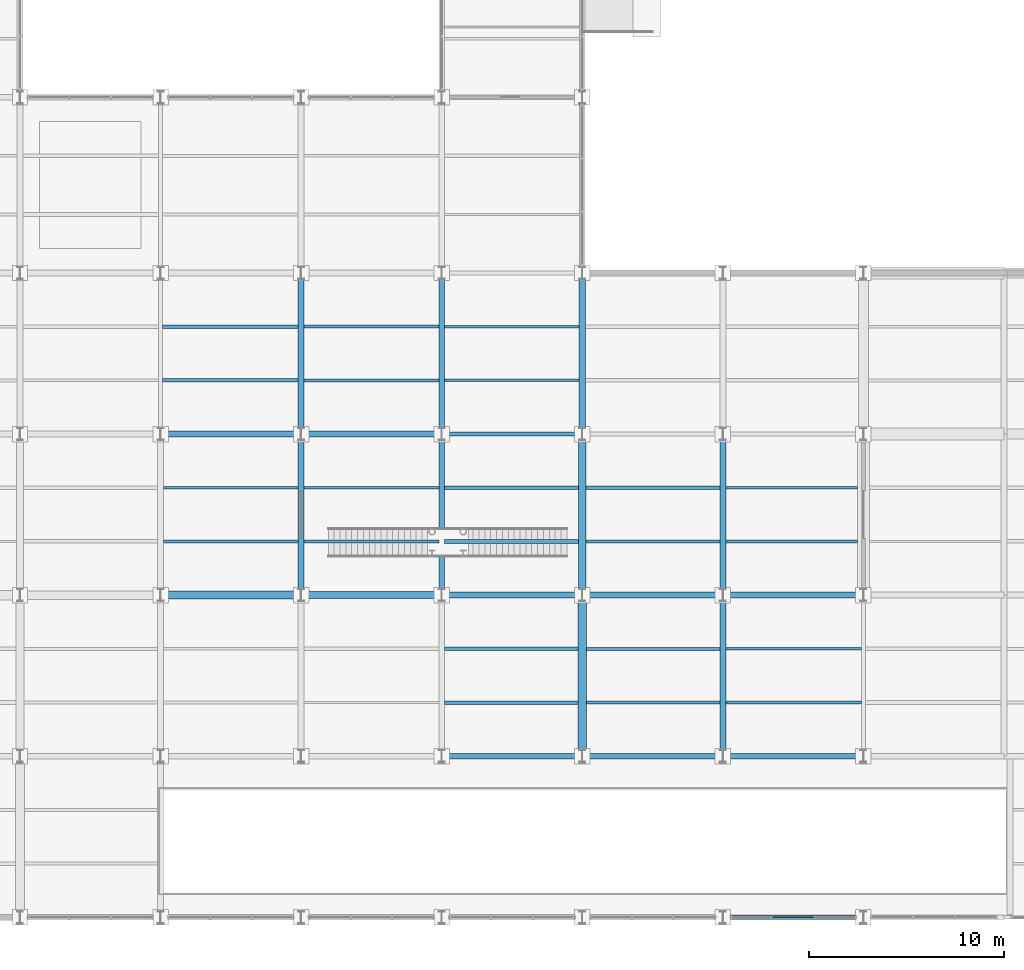
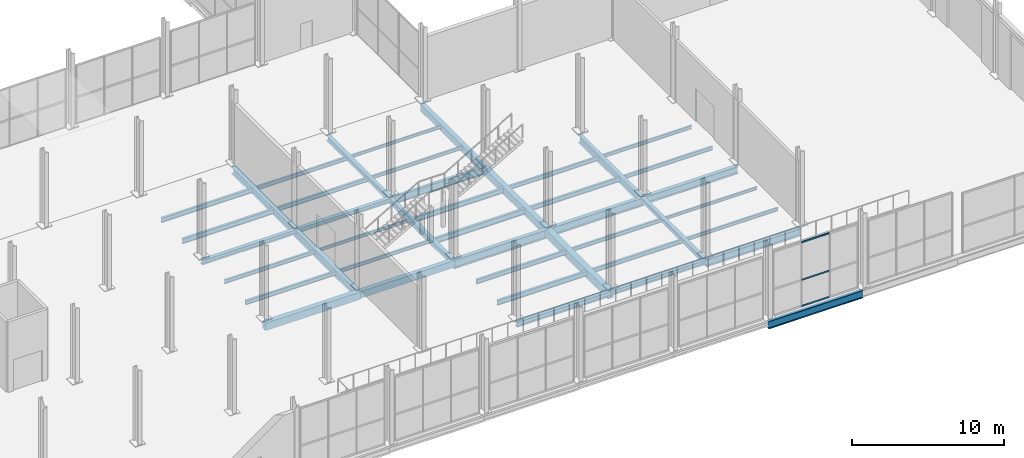
# One storey, part 81 of 144: 43 beams, 3 members, 1 element without a shape of its own.
"""IFC4 building model written with IfcOpenShell, lengths in metres."""

from ifc_helpers import new_model, si_unit, direction, frame, origin, origin_2d, place, context, subcontext, project, spatial, rectangle, hollow_rectangle, i_section, extrude, material, layer, layer_set, material_profile, profile_set, type_object, element, aggregate, save


model = new_model("IFC4")

# Units and contexts
model_context = context("Model", 3, precision=1e-05, world=origin(), true_north=direction((0.0, 1.0)))
body_context = subcontext(model_context, "Body", "Model", "MODEL_VIEW")
ifc_project = project(units=[si_unit("LENGTHUNIT", "METRE"), si_unit("AREAUNIT", "SQUARE_METRE"), si_unit("VOLUMEUNIT", "CUBIC_METRE"), si_unit("PLANEANGLEUNIT", "RADIAN"), si_unit("MASSUNIT", "GRAM", prefix="KILO")], contexts=[model_context])

# Site, building, storey
site_placement = place(None, origin())
site = spatial("IfcSite", under=ifc_project, at=site_placement, CompositionType="ELEMENT")
building_placement = place(site_placement, origin())
building = spatial("IfcBuilding", under=site, at=building_placement, Name="Sundgate Opera House", CompositionType="ELEMENT")
storey_placement = place(building_placement, origin())
storey = spatial("IfcBuildingStorey", under=building, at=storey_placement, Name="L00", CompositionType="ELEMENT", Elevation=0.0)

# Beams
ifc_material_1 = material(Name="Steel S355J2", Category="steel")
ifc_material_profile_1 = material_profile(ifc_material_1, i_section(OverallWidth=0.300048828125, OverallDepth=0.330078125, WebThickness=0.009521484375, FlangeThickness=0.0166015625, at=origin_2d()), Name="HEA 340")
ifc_profile_set_1 = profile_set([ifc_material_profile_1], Name="Steel S355J2")
beam_type_1 = type_object("IfcBeamType", Name="BM-GR-HEA340", PredefinedType="BEAM", material=ifc_profile_set_1)
beam_1_placement = place(storey_placement, frame((131.39990234375, 24.75, -0.485107421875), z_axis=(1.0, 0.0, 0.0), x_axis=(0.0, 1.0, 0.0)))
element("IfcBeam", 1, at=beam_1_placement, inside=storey, type_object=beam_type_1, Name="L00 Primary E-W Girder B0379", PredefinedType="BEAM", context=body_context, shape_type="SweptSolid", body=[
    extrude(i_section(OverallWidth=0.300048828125, OverallDepth=0.330078125, WebThickness=0.009521484375, FlangeThickness=0.0166015625, at=origin_2d()), origin(), (0.0, 0.0, 1.0), 7.2001953125),
])
ifc_material_2 = material(Name="Steel S355J2", Category="steel")
ifc_material_profile_2 = material_profile(ifc_material_2, i_section(OverallWidth=0.300048828125, OverallDepth=0.35009765625, WebThickness=0.010009765625, FlangeThickness=0.017578125, at=origin_2d()), Name="HEA 360")
ifc_profile_set_2 = profile_set([ifc_material_profile_2], Name="Steel S355J2")
beam_type_2 = type_object("IfcBeamType", Name="BM-GR-HEA360", PredefinedType="BEAM", material=ifc_profile_set_2)
beam_2_placement = place(storey_placement, frame((124.199951171875, 24.75, -0.4951171875), z_axis=(1.0, 0.0, 0.0), x_axis=(0.0, 1.0, 0.0)))
element("IfcBeam", 2, at=beam_2_placement, inside=storey, type_object=beam_type_2, Name="L00 Primary E-W Girder B0378", PredefinedType="BEAM", context=body_context, shape_type="SweptSolid", body=[
    extrude(i_section(OverallWidth=0.300048828125, OverallDepth=0.35009765625, WebThickness=0.010009765625, FlangeThickness=0.017578125, at=origin_2d()), origin(), (0.0, 0.0, 1.0), 7.199951171875),
])
ifc_material_3 = material(Name="Steel S355J2", Category="steel")
ifc_material_profile_3 = material_profile(ifc_material_3, i_section(OverallWidth=0.300048828125, OverallDepth=0.389892578125, WebThickness=0.010986328125, FlangeThickness=0.01904296875, at=origin_2d()), Name="HEA 400")
ifc_profile_set_3 = profile_set([ifc_material_profile_3], Name="Steel S355J2")
beam_type_3 = type_object("IfcBeamType", Name="BM-GR-HEA400", PredefinedType="BEAM", material=ifc_profile_set_3)
beam_3_placement = place(storey_placement, frame((138.60009765625, 24.75, -0.514892578125), z_axis=(0.0, 1.0, 0.0), x_axis=(-1.0, 0.0, 0.0)))
element("IfcBeam", 3, at=beam_3_placement, inside=storey, type_object=beam_type_3, Name="L00 Primary N-S Girder B0268", PredefinedType="BEAM", context=body_context, shape_type="SweptSolid", body=[
    extrude(i_section(OverallWidth=0.300048828125, OverallDepth=0.389892578125, WebThickness=0.010986328125, FlangeThickness=0.01904296875, at=origin_2d()), origin(), (0.0, 0.0, 1.0), 8.25),
])
ifc_material_4 = material(Name="Steel S355J2", Category="steel")
ifc_material_profile_4 = material_profile(ifc_material_4, i_section(OverallWidth=0.300048828125, OverallDepth=0.43994140625, WebThickness=0.011474609375, FlangeThickness=0.02099609375, at=origin_2d()), Name="HEA 450")
ifc_profile_set_4 = profile_set([ifc_material_profile_4], Name="Steel S355J2")
beam_type_4 = type_object("IfcBeamType", Name="BM-GR-HEA450", PredefinedType="BEAM", material=ifc_profile_set_4)
beam_4_placement = place(storey_placement, frame((138.60009765625, 16.5, -0.5400390625), z_axis=(0.0, 1.0, 0.0), x_axis=(-1.0, 0.0, 0.0)))
element("IfcBeam", 4, at=beam_4_placement, inside=storey, type_object=beam_type_4, Name="L00 Primary N-S Girder B0267", PredefinedType="BEAM", context=body_context, shape_type="SweptSolid", body=[
    extrude(i_section(OverallWidth=0.300048828125, OverallDepth=0.43994140625, WebThickness=0.011474609375, FlangeThickness=0.02099609375, at=origin_2d()), origin(), (0.0, 0.0, 1.0), 8.25),
])
ifc_material_5 = material(Name="Steel S355J2", Category="steel")
ifc_material_profile_5 = material_profile(ifc_material_5, i_section(OverallWidth=0.300048828125, OverallDepth=0.590087890625, WebThickness=0.012939453125, FlangeThickness=0.02490234375, at=origin_2d()), Name="HEA 600")
ifc_profile_set_5 = profile_set([ifc_material_profile_5], Name="Steel S355J2")
beam_type_5 = type_object("IfcBeamType", Name="BM-GR-HEA600", PredefinedType="BEAM", material=ifc_profile_set_5)
beam_5_placement = place(storey_placement, frame((153.0, 16.5, -0.614990234375), z_axis=(0.0, 1.0, 0.0), x_axis=(-1.0, 0.0, 0.0)))
element("IfcBeam", 5, at=beam_5_placement, inside=storey, type_object=beam_type_5, Name="L00 Primary N-S Girder B0287", PredefinedType="BEAM", context=body_context, shape_type="SweptSolid", body=[
    extrude(i_section(OverallWidth=0.300048828125, OverallDepth=0.590087890625, WebThickness=0.012939453125, FlangeThickness=0.02490234375, at=origin_2d()), origin(), (0.0, 0.0, 1.0), 8.25),
])
beam_6_placement = place(storey_placement, frame((153.0, 8.25, -0.614990234375), z_axis=(1.0, 0.0, 0.0), x_axis=(0.0, 1.0, 0.0)))
element("IfcBeam", 6, at=beam_6_placement, inside=storey, type_object=beam_type_5, Name="L00 Primary E-W Girder B0352", PredefinedType="BEAM", context=body_context, shape_type="SweptSolid", body=[
    extrude(i_section(OverallWidth=0.300048828125, OverallDepth=0.590087890625, WebThickness=0.012939453125, FlangeThickness=0.02490234375, at=origin_2d()), origin(), (0.0, 0.0, 1.0), 7.199951171875),
])
ifc_material_6 = material(Name="Steel S355J2", Category="steel")
ifc_material_profile_6 = material_profile(ifc_material_6, i_section(OverallWidth=0.300048828125, OverallDepth=0.360107421875, WebThickness=0.012451171875, FlangeThickness=0.0224609375, at=origin_2d()), Name="HEB 360")
ifc_profile_set_6 = profile_set([ifc_material_profile_6], Name="Steel S355J2")
beam_type_6 = type_object("IfcBeamType", Name="BM-GR-HEB360", PredefinedType="BEAM", material=ifc_profile_set_6)
beam_7_placement = place(storey_placement, frame((153.0, 8.25, -0.5), z_axis=(0.0, 1.0, 0.0), x_axis=(-1.0, 0.0, 0.0)))
element("IfcBeam", 7, at=beam_7_placement, inside=storey, type_object=beam_type_6, Name="L00 Primary N-S Girder B0286", PredefinedType="BEAM", context=body_context, shape_type="SweptSolid", body=[
    extrude(i_section(OverallWidth=0.300048828125, OverallDepth=0.360107421875, WebThickness=0.012451171875, FlangeThickness=0.0224609375, at=origin_2d()), origin(), (0.0, 0.0, 1.0), 8.25),
])
beam_8_placement = place(storey_placement, frame((145.800048828125, 8.25, -0.5), z_axis=(1.0, 0.0, 0.0), x_axis=(0.0, 1.0, 0.0)))
element("IfcBeam", 8, at=beam_8_placement, inside=storey, type_object=beam_type_6, Name="L00 Primary E-W Girder B0351", PredefinedType="BEAM", context=body_context, shape_type="SweptSolid", body=[
    extrude(i_section(OverallWidth=0.300048828125, OverallDepth=0.360107421875, WebThickness=0.012451171875, FlangeThickness=0.0224609375, at=origin_2d()), origin(), (0.0, 0.0, 1.0), 7.199951171875),
])
ifc_material_7 = material(Name="Steel S355J2", Category="steel")
ifc_material_profile_7 = material_profile(ifc_material_7, i_section(OverallWidth=0.300048828125, OverallDepth=0.39990234375, WebThickness=0.013427734375, FlangeThickness=0.02392578125, at=origin_2d()), Name="HEB 400")
ifc_profile_set_7 = profile_set([ifc_material_profile_7], Name="Steel S355J2")
beam_type_7 = type_object("IfcBeamType", Name="BM-GR-HEB400", PredefinedType="BEAM", material=ifc_profile_set_7)
beam_9_placement = place(storey_placement, frame((138.60009765625, 8.25, -0.52001953125), z_axis=(1.0, 0.0, 0.0), x_axis=(0.0, 1.0, 0.0)))
element("IfcBeam", 9, at=beam_9_placement, inside=storey, type_object=beam_type_7, Name="L00 Primary E-W Girder B0350", PredefinedType="BEAM", context=body_context, shape_type="SweptSolid", body=[
    extrude(i_section(OverallWidth=0.300048828125, OverallDepth=0.39990234375, WebThickness=0.013427734375, FlangeThickness=0.02392578125, at=origin_2d()), origin(), (0.0, 0.0, 1.0), 7.199951171875),
])
ifc_material_8 = material(Name="Steel S355J2", Category="steel")
ifc_material_profile_8 = material_profile(ifc_material_8, i_section(OverallWidth=0.300048828125, OverallDepth=0.550048828125, WebThickness=0.014892578125, FlangeThickness=0.029052734375, at=origin_2d()), Name="HEB 550")
ifc_profile_set_8 = profile_set([ifc_material_profile_8], Name="Steel S355J2")
beam_type_8 = type_object("IfcBeamType", Name="BM-GR-HEB550", PredefinedType="BEAM", material=ifc_profile_set_8)
beam_10_placement = place(storey_placement, frame((131.39990234375, 24.75, -0.594970703125), z_axis=(0.0, 1.0, 0.0), x_axis=(-1.0, 0.0, 0.0)))
element("IfcBeam", 10, at=beam_10_placement, inside=storey, type_object=beam_type_8, Name="L00 Primary N-S Girder B0260", PredefinedType="BEAM", context=body_context, shape_type="SweptSolid", body=[
    extrude(i_section(OverallWidth=0.300048828125, OverallDepth=0.550048828125, WebThickness=0.014892578125, FlangeThickness=0.029052734375, at=origin_2d()), origin(), (0.0, 0.0, 1.0), 8.25),
])
ifc_material_9 = material(Name="Steel S355J2", Category="steel")
ifc_material_profile_9 = material_profile(ifc_material_9, i_section(OverallWidth=0.300048828125, OverallDepth=0.60009765625, WebThickness=0.015380859375, FlangeThickness=0.030029296875, at=origin_2d()), Name="HEB 600")
ifc_profile_set_9 = profile_set([ifc_material_profile_9], Name="Steel S355J2")
beam_type_9 = type_object("IfcBeamType", Name="BM-GR-HEB600", PredefinedType="BEAM", material=ifc_profile_set_9)
beam_11_placement = place(storey_placement, frame((131.39990234375, 16.5, -0.6201171875), z_axis=(0.0, 1.0, 0.0), x_axis=(-1.0, 0.0, 0.0)))
element("IfcBeam", 11, at=beam_11_placement, inside=storey, type_object=beam_type_9, Name="L00 Primary N-S Girder B0259", PredefinedType="BEAM", context=body_context, shape_type="SweptSolid", body=[
    extrude(i_section(OverallWidth=0.300048828125, OverallDepth=0.60009765625, WebThickness=0.015380859375, FlangeThickness=0.030029296875, at=origin_2d()), origin(), (0.0, 0.0, 1.0), 8.25),
])
beam_12_placement = place(storey_placement, frame((153.0, 16.5, -0.6201171875), z_axis=(1.0, 0.0, 0.0), x_axis=(0.0, 1.0, 0.0)))
element("IfcBeam", 12, at=beam_12_placement, inside=storey, type_object=beam_type_9, Name="L00 Primary E-W Girder B0368", PredefinedType="BEAM", context=body_context, shape_type="SweptSolid", body=[
    extrude(i_section(OverallWidth=0.300048828125, OverallDepth=0.60009765625, WebThickness=0.015380859375, FlangeThickness=0.030029296875, at=origin_2d()), origin(), (0.0, 0.0, 1.0), 7.199951171875),
])
ifc_material_10 = material(Name="Steel S355J2", Category="steel")
ifc_material_profile_10 = material_profile(ifc_material_10, i_section(OverallWidth=0.300048828125, OverallDepth=0.64990234375, WebThickness=0.01611328125, FlangeThickness=0.031005859375, at=origin_2d()), Name="HEB 650")
ifc_profile_set_10 = profile_set([ifc_material_profile_10], Name="Steel S355J2")
beam_type_10 = type_object("IfcBeamType", Name="BM-GR-HEB650", PredefinedType="BEAM", material=ifc_profile_set_10)
beam_13_placement = place(storey_placement, frame((145.800048828125, 16.5, -0.64501953125), z_axis=(1.0, 0.0, 0.0), x_axis=(0.0, 1.0, 0.0)))
element("IfcBeam", 13, at=beam_13_placement, inside=storey, type_object=beam_type_10, Name="L00 Primary E-W Girder B0367", PredefinedType="BEAM", context=body_context, shape_type="SweptSolid", body=[
    extrude(i_section(OverallWidth=0.300048828125, OverallDepth=0.64990234375, WebThickness=0.01611328125, FlangeThickness=0.031005859375, at=origin_2d()), origin(), (0.0, 0.0, 1.0), 7.199951171875),
])
ifc_material_11 = material(Name="Steel S355J2", Category="steel")
ifc_material_profile_11 = material_profile(ifc_material_11, i_section(OverallWidth=0.300048828125, OverallDepth=0.699951171875, WebThickness=0.01708984375, FlangeThickness=0.031982421875, at=origin_2d()), Name="HEB 700")
ifc_profile_set_11 = profile_set([ifc_material_profile_11], Name="Steel S355J2")
beam_type_11 = type_object("IfcBeamType", Name="BM-GR-HEB700", PredefinedType="BEAM", material=ifc_profile_set_11)
beam_14_placement = place(storey_placement, frame((138.60009765625, 16.5, -0.669921875), z_axis=(1.0, 0.0, 0.0), x_axis=(0.0, 1.0, 0.0)))
element("IfcBeam", 14, at=beam_14_placement, inside=storey, type_object=beam_type_11, Name="L00 Primary E-W Girder B0366", PredefinedType="BEAM", context=body_context, shape_type="SweptSolid", body=[
    extrude(i_section(OverallWidth=0.300048828125, OverallDepth=0.699951171875, WebThickness=0.01708984375, FlangeThickness=0.031982421875, at=origin_2d()), origin(), (0.0, 0.0, 1.0), 7.199951171875),
])
ifc_material_12 = material(Name="Steel S355J2", Category="steel")
ifc_material_profile_12 = material_profile(ifc_material_12, i_section(OverallWidth=0.219970703125, OverallDepth=0.60009765625, WebThickness=0.011962890625, FlangeThickness=0.01904296875, at=origin_2d()), Name="IPE 600")
ifc_profile_set_12 = profile_set([ifc_material_profile_12], Name="Steel S355J2")
beam_type_12 = type_object("IfcBeamType", Name="BM-GR-IPE600", PredefinedType="BEAM", material=ifc_profile_set_12)
for number, where, z_axis, x_axis, name in (
    (15, (153.0, 0.0, -0.6201171875), (1.0, 0.0, 0.0), (0.0, 1.0, 0.0), "L00 Primary E-W Girder B0336"),
    (16, (138.60009765625, 24.75, -0.6201171875), (1.0, 0.0, 0.0), (0.0, 1.0, 0.0), "L00 Primary E-W Girder B0380"),
):
    element("IfcBeam", number, at=place(storey_placement, frame(where, z_axis=z_axis, x_axis=x_axis)), inside=storey, type_object=beam_type_12, Name=name, PredefinedType="BEAM", context=body_context, shape_type="SweptSolid", body=[
        extrude(i_section(OverallWidth=0.219970703125, OverallDepth=0.60009765625, WebThickness=0.011962890625, FlangeThickness=0.01904296875, at=origin_2d()), origin(), (0.0, 0.0, 1.0), 7.199951171875),
    ])
ifc_material_13 = material(Name="Steel S355J2", Category="steel")
ifc_material_profile_13 = material_profile(ifc_material_13, i_section(OverallWidth=0.1201171875, OverallDepth=0.239990234375, WebThickness=0.006103515625, FlangeThickness=0.009765625, at=origin_2d()), Name="IPE 240")
ifc_profile_set_13 = profile_set([ifc_material_profile_13], Name="Steel S355J2")
beam_type_13 = type_object("IfcBeamType", Name="BM-JS-IPE240", PredefinedType="JOIST", material=ifc_profile_set_13)
beam_15_placement = place(storey_placement, frame((153.14990234375, 13.75, -0.43994140625), z_axis=(1.0, 0.0, 0.0), x_axis=(0.0, 1.0, 0.0)))
element("IfcBeam", 17, at=beam_15_placement, inside=storey, type_object=beam_type_13, Name="L00 Secondary Floor Joist B0650", PredefinedType="JOIST", context=body_context, shape_type="SweptSolid", body=[
    extrude(i_section(OverallWidth=0.1201171875, OverallDepth=0.239990234375, WebThickness=0.006103515625, FlangeThickness=0.009765625, at=origin_2d()), origin(), (0.0, 0.0, 1.0), 6.9501953125),
])
beam_16_placement = place(storey_placement, frame((131.550048828125, 22.0, -0.43994140625), z_axis=(1.0, 0.0, 0.0), x_axis=(0.0, 1.0, 0.0)))
element("IfcBeam", 18, at=beam_16_placement, inside=storey, type_object=beam_type_13, Name="L00 Secondary Floor Joist B0671", PredefinedType="JOIST", context=body_context, shape_type="SweptSolid", body=[
    extrude(i_section(OverallWidth=0.1201171875, OverallDepth=0.239990234375, WebThickness=0.006103515625, FlangeThickness=0.009765625, at=origin_2d()), origin(), (0.0, 0.0, 1.0), 6.89990234375),
])
beam_17_placement = place(storey_placement, frame((138.75, 30.25, -0.43994140625), z_axis=(1.0, 0.0, 0.0), x_axis=(0.0, 1.0, 0.0)))
element("IfcBeam", 19, at=beam_17_placement, inside=storey, type_object=beam_type_13, Name="L00 Secondary Floor Joist B0699", PredefinedType="JOIST", context=body_context, shape_type="SweptSolid", body=[
    extrude(i_section(OverallWidth=0.1201171875, OverallDepth=0.239990234375, WebThickness=0.006103515625, FlangeThickness=0.009765625, at=origin_2d()), origin(), (0.0, 0.0, 1.0), 6.875),
])
ifc_material_14 = material(Name="Steel S355J2", Category="steel")
ifc_material_profile_14 = material_profile(ifc_material_14, i_section(OverallWidth=0.135009765625, OverallDepth=0.27001953125, WebThickness=0.006591796875, FlangeThickness=0.01025390625, at=origin_2d()), Name="IPE 270")
ifc_profile_set_14 = profile_set([ifc_material_profile_14], Name="Steel S355J2")
beam_type_14 = type_object("IfcBeamType", Name="BM-JS-IPE270", PredefinedType="JOIST", material=ifc_profile_set_14)
beam_18_placement = place(storey_placement, frame((153.14990234375, 11.0, -0.455078125), z_axis=(1.0, 0.0, 0.0), x_axis=(0.0, 1.0, 0.0)))
element("IfcBeam", 20, at=beam_18_placement, inside=storey, type_object=beam_type_14, Name="L00 Secondary Floor Joist B0649", PredefinedType="JOIST", context=body_context, shape_type="SweptSolid", body=[
    extrude(i_section(OverallWidth=0.135009765625, OverallDepth=0.27001953125, WebThickness=0.006591796875, FlangeThickness=0.01025390625, at=origin_2d()), origin(), (0.0, 0.0, 1.0), 6.9501953125),
])
beam_19_placement = place(storey_placement, frame((131.550048828125, 19.25, -0.455078125), z_axis=(1.0, 0.0, 0.0), x_axis=(0.0, 1.0, 0.0)))
element("IfcBeam", 21, at=beam_19_placement, inside=storey, type_object=beam_type_14, Name="L00 Secondary Floor Joist B0670", PredefinedType="JOIST", context=body_context, shape_type="SweptSolid", body=[
    extrude(i_section(OverallWidth=0.135009765625, OverallDepth=0.27001953125, WebThickness=0.006591796875, FlangeThickness=0.01025390625, at=origin_2d()), origin(), (0.0, 0.0, 1.0), 6.89990234375),
])
beam_20_placement = place(storey_placement, frame((153.14990234375, 22.0, -0.455078125), z_axis=(1.0, 0.0, 0.0), x_axis=(0.0, 1.0, 0.0)))
element("IfcBeam", 22, at=beam_20_placement, inside=storey, type_object=beam_type_14, Name="L00 Secondary Floor Joist B0677", PredefinedType="JOIST", context=body_context, shape_type="SweptSolid", body=[
    extrude(i_section(OverallWidth=0.135009765625, OverallDepth=0.27001953125, WebThickness=0.006591796875, FlangeThickness=0.01025390625, at=origin_2d()), origin(), (0.0, 0.0, 1.0), 6.75),
])
beam_21_placement = place(storey_placement, frame((138.75, 27.5, -0.455078125), z_axis=(1.0, 0.0, 0.0), x_axis=(0.0, 1.0, 0.0)))
element("IfcBeam", 23, at=beam_21_placement, inside=storey, type_object=beam_type_14, Name="L00 Secondary Floor Joist B0698", PredefinedType="JOIST", context=body_context, shape_type="SweptSolid", body=[
    extrude(i_section(OverallWidth=0.135009765625, OverallDepth=0.27001953125, WebThickness=0.006591796875, FlangeThickness=0.01025390625, at=origin_2d()), origin(), (0.0, 0.0, 1.0), 6.875),
])
ifc_material_15 = material(Name="Steel S355J2", Category="steel")
ifc_material_profile_15 = material_profile(ifc_material_15, i_section(OverallWidth=0.14990234375, OverallDepth=0.300048828125, WebThickness=0.007080078125, FlangeThickness=0.0107421875, at=origin_2d()), Name="IPE 300")
ifc_profile_set_15 = profile_set([ifc_material_profile_15], Name="Steel S355J2")
beam_type_15 = type_object("IfcBeamType", Name="BM-JS-IPE300", PredefinedType="JOIST", material=ifc_profile_set_15)
beam_22_placement = place(storey_placement, frame((146.02490234375, 13.75, -0.469970703125), z_axis=(1.0, 0.0, 0.0), x_axis=(0.0, 1.0, 0.0)))
element("IfcBeam", 24, at=beam_22_placement, inside=storey, type_object=beam_type_15, Name="L00 Secondary Floor Joist B0648", PredefinedType="JOIST", context=body_context, shape_type="SweptSolid", body=[
    extrude(i_section(OverallWidth=0.14990234375, OverallDepth=0.300048828125, WebThickness=0.007080078125, FlangeThickness=0.0107421875, at=origin_2d()), origin(), (0.0, 0.0, 1.0), 6.8251953125),
])
beam_23_placement = place(storey_placement, frame((124.35009765625, 22.0, -0.469970703125), z_axis=(1.0, 0.0, 0.0), x_axis=(0.0, 1.0, 0.0)))
element("IfcBeam", 25, at=beam_23_placement, inside=storey, type_object=beam_type_15, Name="L00 Secondary Floor Joist B0669", PredefinedType="JOIST", context=body_context, shape_type="SweptSolid", body=[
    extrude(i_section(OverallWidth=0.14990234375, OverallDepth=0.300048828125, WebThickness=0.007080078125, FlangeThickness=0.0107421875, at=origin_2d()), origin(), (0.0, 0.0, 1.0), 6.89990234375),
])
beam_24_placement = place(storey_placement, frame((153.14990234375, 19.25, -0.469970703125), z_axis=(1.0, 0.0, 0.0), x_axis=(0.0, 1.0, 0.0)))
element("IfcBeam", 26, at=beam_24_placement, inside=storey, type_object=beam_type_15, Name="L00 Secondary Floor Joist B0676", PredefinedType="JOIST", context=body_context, shape_type="SweptSolid", body=[
    extrude(i_section(OverallWidth=0.14990234375, OverallDepth=0.300048828125, WebThickness=0.007080078125, FlangeThickness=0.0107421875, at=origin_2d()), origin(), (0.0, 0.0, 1.0), 6.75),
])
beam_25_placement = place(storey_placement, frame((131.550048828125, 30.25, -0.469970703125), z_axis=(1.0, 0.0, 0.0), x_axis=(0.0, 1.0, 0.0)))
element("IfcBeam", 27, at=beam_25_placement, inside=storey, type_object=beam_type_15, Name="L00 Secondary Floor Joist B0697", PredefinedType="JOIST", context=body_context, shape_type="SweptSolid", body=[
    extrude(i_section(OverallWidth=0.14990234375, OverallDepth=0.300048828125, WebThickness=0.007080078125, FlangeThickness=0.0107421875, at=origin_2d()), origin(), (0.0, 0.0, 1.0), 6.89990234375),
])
ifc_material_16 = material(Name="Steel S355J2", Category="steel")
ifc_material_profile_16 = material_profile(ifc_material_16, i_section(OverallWidth=0.159912109375, OverallDepth=0.330078125, WebThickness=0.007568359375, FlangeThickness=0.011474609375, at=origin_2d()), Name="IPE 330")
ifc_profile_set_16 = profile_set([ifc_material_profile_16], Name="Steel S355J2")
beam_type_16 = type_object("IfcBeamType", Name="BM-JS-IPE330", PredefinedType="JOIST", material=ifc_profile_set_16)
beam_26_placement = place(storey_placement, frame((146.02490234375, 11.0, -0.485107421875), z_axis=(1.0, 0.0, 0.0), x_axis=(0.0, 1.0, 0.0)))
element("IfcBeam", 28, at=beam_26_placement, inside=storey, type_object=beam_type_16, Name="L00 Secondary Floor Joist B0647", PredefinedType="JOIST", context=body_context, shape_type="SweptSolid", body=[
    extrude(i_section(OverallWidth=0.159912109375, OverallDepth=0.330078125, WebThickness=0.007568359375, FlangeThickness=0.011474609375, at=origin_2d()), origin(), (0.0, 0.0, 1.0), 6.8251953125),
])
beam_27_placement = place(storey_placement, frame((124.35009765625, 19.25, -0.485107421875), z_axis=(1.0, 0.0, 0.0), x_axis=(0.0, 1.0, 0.0)))
element("IfcBeam", 29, at=beam_27_placement, inside=storey, type_object=beam_type_16, Name="L00 Secondary Floor Joist B0668", PredefinedType="JOIST", context=body_context, shape_type="SweptSolid", body=[
    extrude(i_section(OverallWidth=0.159912109375, OverallDepth=0.330078125, WebThickness=0.007568359375, FlangeThickness=0.011474609375, at=origin_2d()), origin(), (0.0, 0.0, 1.0), 6.89990234375),
])
beam_28_placement = place(storey_placement, frame((146.0, 22.0, -0.485107421875), z_axis=(1.0, 0.0, 0.0), x_axis=(0.0, 1.0, 0.0)))
element("IfcBeam", 30, at=beam_28_placement, inside=storey, type_object=beam_type_16, Name="L00 Secondary Floor Joist B0675", PredefinedType="JOIST", context=body_context, shape_type="SweptSolid", body=[
    extrude(i_section(OverallWidth=0.159912109375, OverallDepth=0.330078125, WebThickness=0.007568359375, FlangeThickness=0.011474609375, at=origin_2d()), origin(), (0.0, 0.0, 1.0), 6.85009765625),
])
beam_29_placement = place(storey_placement, frame((131.550048828125, 27.5, -0.485107421875), z_axis=(1.0, 0.0, 0.0), x_axis=(0.0, 1.0, 0.0)))
element("IfcBeam", 31, at=beam_29_placement, inside=storey, type_object=beam_type_16, Name="L00 Secondary Floor Joist B0696", PredefinedType="JOIST", context=body_context, shape_type="SweptSolid", body=[
    extrude(i_section(OverallWidth=0.159912109375, OverallDepth=0.330078125, WebThickness=0.007568359375, FlangeThickness=0.011474609375, at=origin_2d()), origin(), (0.0, 0.0, 1.0), 6.89990234375),
])
ifc_material_17 = material(Name="Steel S355J2", Category="steel")
ifc_material_profile_17 = material_profile(ifc_material_17, i_section(OverallWidth=0.169921875, OverallDepth=0.360107421875, WebThickness=0.008056640625, FlangeThickness=0.0126953125, at=origin_2d()), Name="IPE 360")
ifc_profile_set_17 = profile_set([ifc_material_profile_17], Name="Steel S355J2")
beam_type_17 = type_object("IfcBeamType", Name="BM-JS-IPE360", PredefinedType="JOIST", material=ifc_profile_set_17)
beam_30_placement = place(storey_placement, frame((138.75, 13.75, -0.5), z_axis=(1.0, 0.0, 0.0), x_axis=(0.0, 1.0, 0.0)))
element("IfcBeam", 32, at=beam_30_placement, inside=storey, type_object=beam_type_17, Name="L00 Secondary Floor Joist B0646", PredefinedType="JOIST", context=body_context, shape_type="SweptSolid", body=[
    extrude(i_section(OverallWidth=0.169921875, OverallDepth=0.360107421875, WebThickness=0.008056640625, FlangeThickness=0.0126953125, at=origin_2d()), origin(), (0.0, 0.0, 1.0), 6.824951171875),
])
beam_31_placement = place(storey_placement, frame((146.0, 19.25, -0.5), z_axis=(1.0, 0.0, 0.0), x_axis=(0.0, 1.0, 0.0)))
element("IfcBeam", 33, at=beam_31_placement, inside=storey, type_object=beam_type_17, Name="L00 Secondary Floor Joist B0674", PredefinedType="JOIST", context=body_context, shape_type="SweptSolid", body=[
    extrude(i_section(OverallWidth=0.169921875, OverallDepth=0.360107421875, WebThickness=0.008056640625, FlangeThickness=0.0126953125, at=origin_2d()), origin(), (0.0, 0.0, 1.0), 6.85009765625),
])
beam_32_placement = place(storey_placement, frame((124.31005859375, 30.25, -0.5), z_axis=(1.0, 0.0, 0.0), x_axis=(0.0, 1.0, 0.0)))
element("IfcBeam", 34, at=beam_32_placement, inside=storey, type_object=beam_type_17, Name="L00 Secondary Floor Joist B0695", PredefinedType="JOIST", context=body_context, shape_type="SweptSolid", body=[
    extrude(i_section(OverallWidth=0.169921875, OverallDepth=0.360107421875, WebThickness=0.008056640625, FlangeThickness=0.0126953125, at=origin_2d()), origin(), (0.0, 0.0, 1.0), 6.93994140625),
])
ifc_material_18 = material(Name="Steel S355J2", Category="steel")
ifc_material_profile_18 = material_profile(ifc_material_18, i_section(OverallWidth=0.179931640625, OverallDepth=0.39990234375, WebThickness=0.008544921875, FlangeThickness=0.013427734375, at=origin_2d()), Name="IPE 400")
ifc_profile_set_18 = profile_set([ifc_material_profile_18], Name="Steel S355J2")
beam_type_18 = type_object("IfcBeamType", Name="BM-JS-IPE400", PredefinedType="JOIST", material=ifc_profile_set_18)
beam_33_placement = place(storey_placement, frame((138.75, 11.0, -0.52001953125), z_axis=(1.0, 0.0, 0.0), x_axis=(0.0, 1.0, 0.0)))
element("IfcBeam", 35, at=beam_33_placement, inside=storey, type_object=beam_type_18, Name="L00 Secondary Floor Joist B0645", PredefinedType="JOIST", context=body_context, shape_type="SweptSolid", body=[
    extrude(i_section(OverallWidth=0.179931640625, OverallDepth=0.39990234375, WebThickness=0.008544921875, FlangeThickness=0.013427734375, at=origin_2d()), origin(), (0.0, 0.0, 1.0), 6.824951171875),
])
beam_34_placement = place(storey_placement, frame((138.75, 22.0, -0.52001953125), z_axis=(1.0, 0.0, 0.0), x_axis=(0.0, 1.0, 0.0)))
element("IfcBeam", 36, at=beam_34_placement, inside=storey, type_object=beam_type_18, Name="L00 Secondary Floor Joist B0673", PredefinedType="JOIST", context=body_context, shape_type="SweptSolid", body=[
    extrude(i_section(OverallWidth=0.179931640625, OverallDepth=0.39990234375, WebThickness=0.008544921875, FlangeThickness=0.013427734375, at=origin_2d()), origin(), (0.0, 0.0, 1.0), 6.85009765625),
])
beam_35_placement = place(storey_placement, frame((124.31005859375, 27.5, -0.52001953125), z_axis=(1.0, 0.0, 0.0), x_axis=(0.0, 1.0, 0.0)))
element("IfcBeam", 37, at=beam_35_placement, inside=storey, type_object=beam_type_18, Name="L00 Secondary Floor Joist B0694", PredefinedType="JOIST", context=body_context, shape_type="SweptSolid", body=[
    extrude(i_section(OverallWidth=0.179931640625, OverallDepth=0.39990234375, WebThickness=0.008544921875, FlangeThickness=0.013427734375, at=origin_2d()), origin(), (0.0, 0.0, 1.0), 6.93994140625),
])
ifc_material_19 = material(Name="Steel S355J2", Category="steel")
ifc_material_profile_19 = material_profile(ifc_material_19, i_section(OverallWidth=0.18994140625, OverallDepth=0.449951171875, WebThickness=0.009521484375, FlangeThickness=0.0146484375, at=origin_2d()), Name="IPE 450")
ifc_profile_set_19 = profile_set([ifc_material_profile_19], Name="Steel S355J2")
beam_type_19 = type_object("IfcBeamType", Name="BM-JS-IPE450", PredefinedType="JOIST", material=ifc_profile_set_19)
beam_36_placement = place(storey_placement, frame((138.75, 19.25, -0.544921875), z_axis=(1.0, 0.0, 0.0), x_axis=(0.0, 1.0, 0.0)))
element("IfcBeam", 38, at=beam_36_placement, inside=storey, type_object=beam_type_19, Name="L00 Secondary Floor Joist B0672", PredefinedType="JOIST", context=body_context, shape_type="SweptSolid", body=[
    extrude(i_section(OverallWidth=0.18994140625, OverallDepth=0.449951171875, WebThickness=0.009521484375, FlangeThickness=0.0146484375, at=origin_2d()), origin(), (0.0, 0.0, 1.0), 6.85009765625),
])
ifc_material_20 = material(Name="Concrete C35/45", Category="concrete")
ifc_material_profile_20 = material_profile(ifc_material_20, rectangle(XDim=0.35009765625, YDim=0.550048828125, at=origin_2d()), Name="RC 350x550")
ifc_profile_set_20 = profile_set([ifc_material_profile_20], Name="Concrete C35/45")
beam_type_20 = type_object("IfcBeamType", Name="BM-RC-350x550", PredefinedType="BEAM", material=ifc_profile_set_20)
beam_37_placement = place(storey_placement, frame((145.800048828125, 24.75, -0.594970703125), z_axis=(0.0, 1.0, 0.0), x_axis=(-1.0, 0.0, 0.0)))
element("IfcBeam", 39, at=beam_37_placement, inside=storey, type_object=beam_type_20, Name="L00 Primary N-S Girder B0278", PredefinedType="BEAM", context=body_context, shape_type="SweptSolid", body=[
    extrude(rectangle(XDim=0.35009765625, YDim=0.550048828125, at=origin_2d()), origin(), (0.0, 0.0, 1.0), 8.25),
])
beam_38_placement = place(storey_placement, frame((131.39990234375, 16.5, -0.594970703125), z_axis=(1.0, 0.0, 0.0), x_axis=(0.0, 1.0, 0.0)))
element("IfcBeam", 40, at=beam_38_placement, inside=storey, type_object=beam_type_20, Name="L00 Primary E-W Girder B0365", PredefinedType="BEAM", context=body_context, shape_type="SweptSolid", body=[
    extrude(rectangle(XDim=0.35009765625, YDim=0.550048828125, at=origin_2d()), origin(), (0.0, 0.0, 1.0), 7.2001953125),
])
ifc_material_21 = material(Name="Concrete C35/45", Category="concrete")
ifc_material_profile_21 = material_profile(ifc_material_21, rectangle(XDim=0.39990234375, YDim=0.60009765625, at=origin_2d()), Name="RC 400x600")
ifc_profile_set_21 = profile_set([ifc_material_profile_21], Name="Concrete C35/45")
beam_type_21 = type_object("IfcBeamType", Name="BM-RC-400x600", PredefinedType="BEAM", material=ifc_profile_set_21)
beam_39_placement = place(storey_placement, frame((145.800048828125, 16.5, -0.6201171875), z_axis=(0.0, 1.0, 0.0), x_axis=(-1.0, 0.0, 0.0)))
element("IfcBeam", 41, at=beam_39_placement, inside=storey, type_object=beam_type_21, Name="L00 Primary N-S Girder B0277", PredefinedType="BEAM", context=body_context, shape_type="SweptSolid", body=[
    extrude(rectangle(XDim=0.39990234375, YDim=0.60009765625, at=origin_2d()), origin(), (0.0, 0.0, 1.0), 8.25),
])
beam_40_placement = place(storey_placement, frame((124.199951171875, 16.5, -0.6201171875), z_axis=(1.0, 0.0, 0.0), x_axis=(0.0, 1.0, 0.0)))
element("IfcBeam", 42, at=beam_40_placement, inside=storey, type_object=beam_type_21, Name="L00 Primary E-W Girder B0364", PredefinedType="BEAM", context=body_context, shape_type="SweptSolid", body=[
    extrude(rectangle(XDim=0.39990234375, YDim=0.60009765625, at=origin_2d()), origin(), (0.0, 0.0, 1.0), 7.199951171875),
])
ifc_material_22 = material(Name="Concrete C35/45", Category="concrete")
ifc_material_profile_22 = material_profile(ifc_material_22, rectangle(XDim=0.449951171875, YDim=0.64990234375, at=origin_2d()), Name="RC 450x650")
ifc_profile_set_22 = profile_set([ifc_material_profile_22], Name="Concrete C35/45")
beam_type_22 = type_object("IfcBeamType", Name="BM-RC-450x650", PredefinedType="BEAM", material=ifc_profile_set_22)
beam_41_placement = place(storey_placement, frame((145.800048828125, 8.25, -0.64501953125), z_axis=(0.0, 1.0, 0.0), x_axis=(-1.0, 0.0, 0.0)))
element("IfcBeam", 43, at=beam_41_placement, inside=storey, type_object=beam_type_22, Name="L00 Primary N-S Girder B0276", PredefinedType="BEAM", context=body_context, shape_type="SweptSolid", body=[
    extrude(rectangle(XDim=0.449951171875, YDim=0.64990234375, at=origin_2d()), origin(), (0.0, 0.0, 1.0), 8.25),
])

# Curtain wall, members
ifc_material_23 = material(Name="Anodized aluminium and low-iron glass", Category="aluminium")
ifc_layer = layer(ifc_material_23, 0.14990234375)
ifc_layer_set = layer_set([ifc_layer], Name="Anodized aluminium and low-iron glass")
curtain_wall_type = type_object("IfcCurtainWallType", Name="CW-WORKSHOP-DARK", PredefinedType="NOTDEFINED", material=ifc_layer_set)
curtain_wall_placement = place(storey_placement, origin())
curtain_wall = element("IfcCurtainWall", 44, at=curtain_wall_placement, inside=storey, type_object=curtain_wall_type, Name="L00 Curtain Wall CW128", PredefinedType="NOTDEFINED")
ifc_material_24 = material(Name="Anodized aluminium EN AW-6063", Category="aluminium")
ifc_material_profile_23 = material_profile(ifc_material_24, hollow_rectangle(XDim=0.054931640625, YDim=0.1201171875, WallThickness=0.00390625, at=origin_2d()), Name="CWT 120x55x4")
ifc_profile_set_23 = profile_set([ifc_material_profile_23], Name="Anodized aluminium EN AW-6063")
member_type = type_object("IfcMemberType", Name="CWT-ALU-120x55", PredefinedType="USERDEFINED", material=ifc_profile_set_23)
member_1_placement = place(storey_placement, frame((157.666748046875, 0.0, 0.0), z_axis=(-1.0, 0.0, 0.0), x_axis=(0.0, -1.0, 0.0)))
member_1 = element("IfcMember", 45, at=member_1_placement, type_object=member_type, Name="CW128 Transom 4", ObjectType="TRANSOM", PredefinedType="USERDEFINED", context=body_context, shape_type="SweptSolid", body=[
    extrude(hollow_rectangle(XDim=0.054931640625, YDim=0.1201171875, WallThickness=0.00390625, at=origin_2d()), origin(), (0.0, 0.0, 1.0), 2.13330078125),
])
member_2_placement = place(storey_placement, frame((157.666748046875, 0.0, 2.10009765625), z_axis=(-1.0, 0.0, 0.0), x_axis=(0.0, -1.0, 0.0)))
member_2 = element("IfcMember", 46, at=member_2_placement, type_object=member_type, Name="CW128 Transom 5", ObjectType="TRANSOM", PredefinedType="USERDEFINED", context=body_context, shape_type="SweptSolid", body=[
    extrude(hollow_rectangle(XDim=0.054931640625, YDim=0.1201171875, WallThickness=0.00390625, at=origin_2d()), origin(), (0.0, 0.0, 1.0), 2.13330078125),
])
member_3_placement = place(storey_placement, frame((157.666748046875, 0.0, 5.114990234375), z_axis=(-1.0, 0.0, 0.0), x_axis=(0.0, -1.0, 0.0)))
member_3 = element("IfcMember", 47, at=member_3_placement, type_object=member_type, Name="CW128 Transom 6", ObjectType="TRANSOM", PredefinedType="USERDEFINED", context=body_context, shape_type="SweptSolid", body=[
    extrude(hollow_rectangle(XDim=0.054931640625, YDim=0.1201171875, WallThickness=0.00390625, at=origin_2d()), origin(), (0.0, 0.0, 1.0), 2.13330078125),
])
aggregate(curtain_wall, [member_1, member_2, member_3])

save(model, "model.ifc")
